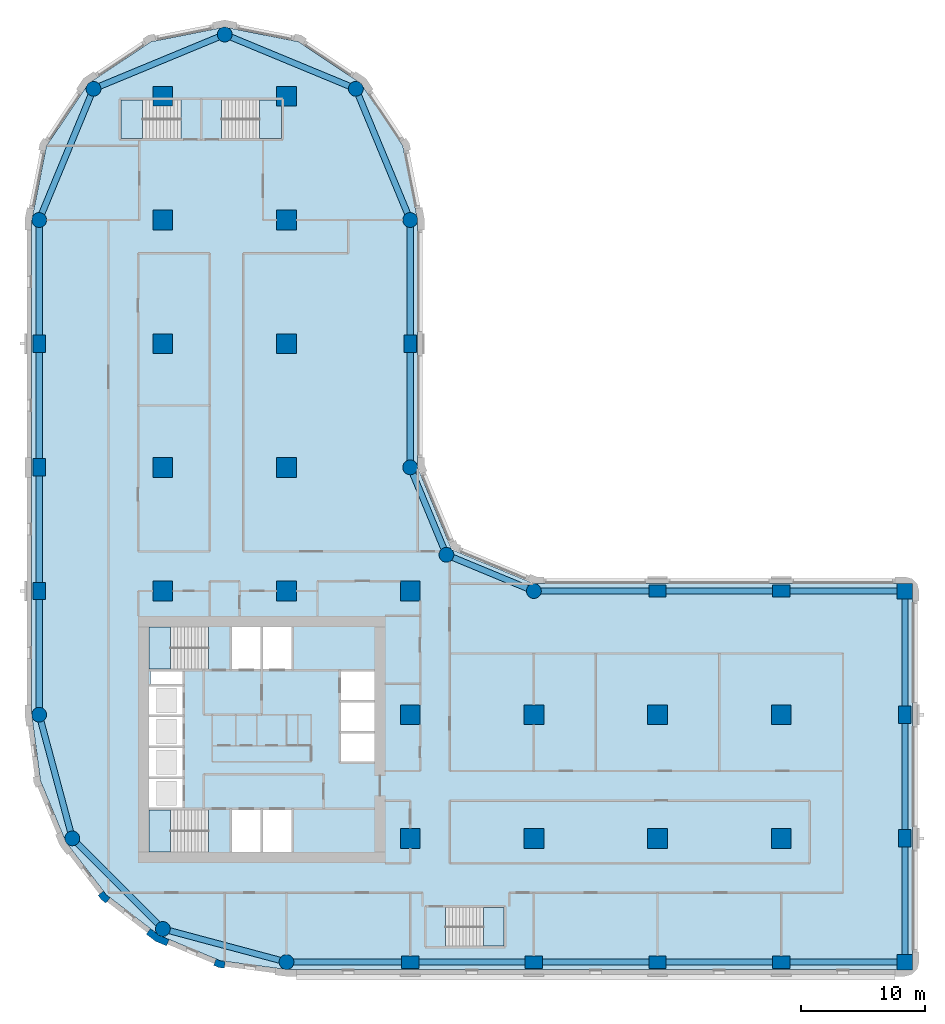
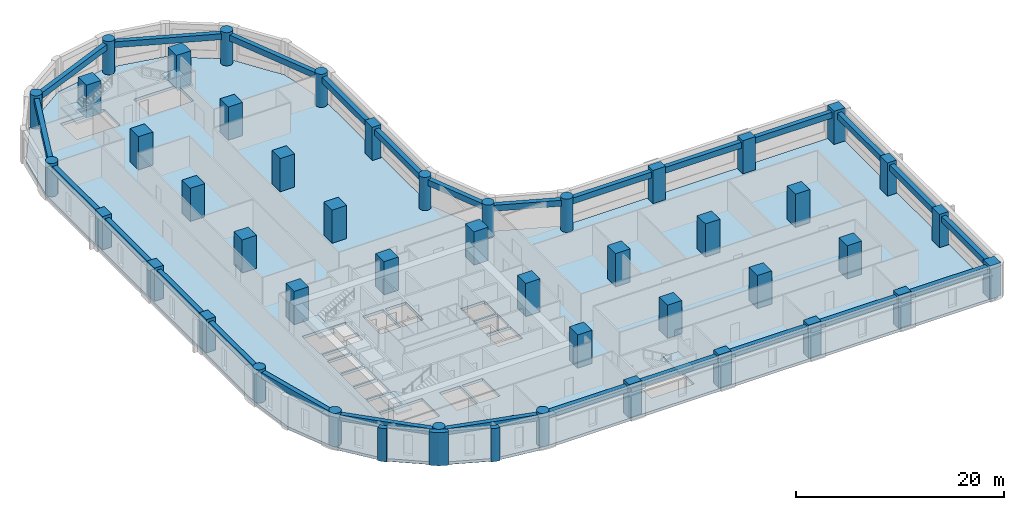
# One storey, part 1 of 11: 45 columns, 26 beams, 6 slabs, 3 walls, 5 elements without a shape of their own.
"""IFC4 building model written with IfcOpenShell, lengths in metres."""

from ifc_helpers import new_model, si_unit, direction, frame, origin, origin_2d, place, context, subcontext, project, spatial, polyline, rectangle, circle, outline, extrude, material, layer, layer_set, material_profile, profile_set, type_object, element, aggregate, save


model = new_model("IFC4")

# Units and contexts
model_context = context("Model", 3, precision=1e-05, world=origin(), true_north=direction((0.0, 1.0)))
body_context = subcontext(model_context, "Body", "Model", "MODEL_VIEW")
ifc_project = project(units=[si_unit("LENGTHUNIT", "METRE"), si_unit("AREAUNIT", "SQUARE_METRE"), si_unit("VOLUMEUNIT", "CUBIC_METRE"), si_unit("PLANEANGLEUNIT", "RADIAN"), si_unit("MASSUNIT", "GRAM", prefix="KILO")], contexts=[model_context])

# Site, building, storey
site_placement = place(None, origin())
site = spatial("IfcSite", under=ifc_project, at=site_placement, CompositionType="ELEMENT")
building_placement = place(site_placement, origin())
building = spatial("IfcBuilding", under=site, at=building_placement, Name="Qaws Garden Tower", CompositionType="ELEMENT")
storey_placement = place(building_placement, frame((0.0, 0.0, 82.199951171875)))
storey = spatial("IfcBuildingStorey", under=building, at=storey_placement, Name="L20", CompositionType="ELEMENT", Elevation=82.199951171875)

# Columns
ifc_material_1 = material(Name="Concrete C80", Category="concrete")
ifc_material_profile_1 = material_profile(ifc_material_1, rectangle(XDim=1.25, YDim=1.25, at=origin_2d()), Name="RC 1250x1250")
ifc_profile_set_1 = profile_set([ifc_material_profile_1], Name="Concrete C80")
column_type_1 = type_object("IfcColumnType", Name="Column RC 1250x1250 C80", PredefinedType="COLUMN", material=ifc_profile_set_1)
for number, where, z_axis, x_axis, name in (
    (1, (70.0, 0.0, 0.0), (0.0, 0.0, 1.0), (1.0, 0.0, 0.0), "Column L20-006"),
    (2, (70.0, 30.0, 0.0), (0.0, 0.0, 1.0), (1.0, 0.0, 0.0), "Column L20-009"),
):
    element("IfcColumn", number, at=place(storey_placement, frame(where, z_axis=z_axis, x_axis=x_axis)), inside=storey, type_object=column_type_1, Name=name, PredefinedType="COLUMN", context=body_context, shape_type="SweptSolid", body=[
        extrude(rectangle(XDim=1.25, YDim=1.25, at=origin_2d()), origin(), (0.0, 0.0, 1.0), 3.900146484375),
    ])
ifc_material_2 = material(Name="Concrete C80", Category="concrete")
ifc_material_profile_2 = material_profile(ifc_material_2, rectangle(XDim=1.39990234375, YDim=1.0, at=origin_2d()), Name="RC 1400x1000")
ifc_profile_set_2 = profile_set([ifc_material_profile_2], Name="Concrete C80")
column_type_2 = type_object("IfcColumnType", Name="Column RC 1400x1000 C80", PredefinedType="COLUMN", material=ifc_profile_set_2)
for number, where, z_axis, x_axis, name in (
    (3, (30.0, 0.0, 0.0), (0.0, 0.0, 1.0), (1.0, 0.0, 0.0), "Column L20-002"),
    (4, (40.0, 0.0, 0.0), (0.0, 0.0, 1.0), (1.0, 0.0, 0.0), "Column L20-003"),
    (5, (50.0, 0.0, 0.0), (0.0, 0.0, 1.0), (1.0, 0.0, 0.0), "Column L20-004"),
    (6, (60.0, 0.0, 0.0), (0.0, 0.0, 1.0), (1.0, 0.0, 0.0), "Column L20-005"),
    (7, (70.0, 10.0, 0.0), (0.0, 0.0, 1.0), (0.0, 1.0, 0.0), "Column L20-007"),
    (8, (70.0, 20.0, 0.0), (0.0, 0.0, 1.0), (0.0, 1.0, 0.0), "Column L20-008"),
    (9, (60.0, 30.0, 0.0), (0.0, 0.0, 1.0), (1.0, 0.0, 0.0), "Column L20-010"),
    (10, (50.0, 30.0, 0.0), (0.0, 0.0, 1.0), (1.0, 0.0, 0.0), "Column L20-011"),
    (11, (30.0, 50.0, 0.0), (0.0, 0.0, 1.0), (0.0, 1.0, 0.0), "Column L20-015"),
    (12, (0.0, 50.0, 0.0), (0.0, 0.0, 1.0), (0.0, 1.0, 0.0), "Column L20-021"),
    (13, (0.0, 40.0, 0.0), (0.0, 0.0, 1.0), (0.0, 1.0, 0.0), "Column L20-022"),
    (14, (0.0, 30.0, 0.0), (0.0, 0.0, 1.0), (0.0, 1.0, 0.0), "Column L20-023"),
):
    element("IfcColumn", number, at=place(storey_placement, frame(where, z_axis=z_axis, x_axis=x_axis)), inside=storey, type_object=column_type_2, Name=name, PredefinedType="COLUMN", context=body_context, shape_type="SweptSolid", body=[
        extrude(rectangle(XDim=1.39990234375, YDim=1.0, at=origin_2d()), origin(), (0.0, 0.0, 1.0), 3.900146484375),
    ])
ifc_material_3 = material(Name="Concrete C80", Category="concrete")
ifc_material_profile_3 = material_profile(ifc_material_3, rectangle(XDim=1.60009765625, YDim=1.60009765625, at=origin_2d()), Name="RC 1600x1600")
ifc_profile_set_3 = profile_set([ifc_material_profile_3], Name="Concrete C80")
column_type_3 = type_object("IfcColumnType", Name="Column RC 1600x1600 C80", PredefinedType="COLUMN", material=ifc_profile_set_3)
for number, where, z_axis, x_axis, name in (
    (15, (10.0, 30.0, 0.0), (0.0, 0.0, 1.0), (1.0, 0.0, 0.0), "Column L20-027"),
    (16, (10.0, 40.0, 0.0), (0.0, 0.0, 1.0), (1.0, 0.0, 0.0), "Column L20-028"),
    (17, (10.0, 50.0, 0.0), (0.0, 0.0, 1.0), (1.0, 0.0, 0.0), "Column L20-029"),
    (18, (10.0, 60.0, 0.0), (0.0, 0.0, 1.0), (1.0, 0.0, 0.0), "Column L20-030"),
    (19, (10.0, 70.0, 0.0), (0.0, 0.0, 1.0), (1.0, 0.0, 0.0), "Column L20-031"),
    (20, (20.0, 30.0, 0.0), (0.0, 0.0, 1.0), (1.0, 0.0, 0.0), "Column L20-032"),
    (21, (20.0, 40.0, 0.0), (0.0, 0.0, 1.0), (1.0, 0.0, 0.0), "Column L20-033"),
    (22, (20.0, 50.0, 0.0), (0.0, 0.0, 1.0), (1.0, 0.0, 0.0), "Column L20-034"),
    (23, (20.0, 60.0, 0.0), (0.0, 0.0, 1.0), (1.0, 0.0, 0.0), "Column L20-035"),
    (24, (20.0, 70.0, 0.0), (0.0, 0.0, 1.0), (1.0, 0.0, 0.0), "Column L20-036"),
    (25, (30.0, 10.0, 0.0), (0.0, 0.0, 1.0), (1.0, 0.0, 0.0), "Column L20-037"),
    (26, (30.0, 20.0, 0.0), (0.0, 0.0, 1.0), (1.0, 0.0, 0.0), "Column L20-038"),
    (27, (30.0, 30.0, 0.0), (0.0, 0.0, 1.0), (1.0, 0.0, 0.0), "Column L20-039"),
    (28, (40.0, 10.0, 0.0), (0.0, 0.0, 1.0), (1.0, 0.0, 0.0), "Column L20-040"),
    (29, (40.0, 20.0, 0.0), (0.0, 0.0, 1.0), (1.0, 0.0, 0.0), "Column L20-041"),
    (30, (50.0, 10.0, 0.0), (0.0, 0.0, 1.0), (1.0, 0.0, 0.0), "Column L20-042"),
    (31, (50.0, 20.0, 0.0), (0.0, 0.0, 1.0), (1.0, 0.0, 0.0), "Column L20-043"),
    (32, (60.0, 10.0, 0.0), (0.0, 0.0, 1.0), (1.0, 0.0, 0.0), "Column L20-044"),
    (33, (60.0, 20.0, 0.0), (0.0, 0.0, 1.0), (1.0, 0.0, 0.0), "Column L20-045"),
):
    element("IfcColumn", number, at=place(storey_placement, frame(where, z_axis=z_axis, x_axis=x_axis)), inside=storey, type_object=column_type_3, Name=name, PredefinedType="COLUMN", context=body_context, shape_type="SweptSolid", body=[
        extrude(rectangle(XDim=1.60009765625, YDim=1.60009765625, at=origin_2d()), origin(), (0.0, 0.0, 1.0), 3.900146484375),
    ])
ifc_material_4 = material(Name="Concrete C80", Category="concrete")
ifc_material_profile_4 = material_profile(ifc_material_4, circle(Radius=0.60009765625, at=origin_2d()), Name="RC D1200")
ifc_profile_set_4 = profile_set([ifc_material_profile_4], Name="Concrete C80")
column_type_4 = type_object("IfcColumnType", Name="Column RC D1200 C80", PredefinedType="COLUMN", material=ifc_profile_set_4)
for number, where, z_axis, x_axis, name in (
    (34, (20.0, 0.0, 0.0), (0.0, 0.0, 1.0), (1.0, 0.0, 0.0), "Column L20-001"),
    (35, (40.0, 30.0, 0.0), (0.0, 0.0, 1.0), (1.0, 0.0, 0.0), "Column L20-012"),
    (36, (32.928955078125, 32.928955078125, 0.0), (0.0, 0.0, 1.0), (1.0, 0.0, 0.0), "Column L20-013"),
    (37, (30.0, 40.0, 0.0), (0.0, 0.0, 1.0), (1.0, 0.0, 0.0), "Column L20-014"),
    (38, (30.0, 60.0, 0.0), (0.0, 0.0, 1.0), (1.0, 0.0, 0.0), "Column L20-016"),
    (39, (25.606689453125, 70.606689453125, 0.0), (0.0, 0.0, 1.0), (1.0, 0.0, 0.0), "Column L20-017"),
    (40, (15.0, 75.0, 0.0), (0.0, 0.0, 1.0), (1.0, 0.0, 0.0), "Column L20-018"),
    (41, (4.393310546875, 70.606689453125, 0.0), (0.0, 0.0, 1.0), (1.0, 0.0, 0.0), "Column L20-019"),
    (42, (0.0, 60.0, 0.0), (0.0, 0.0, 1.0), (1.0, 0.0, 0.0), "Column L20-020"),
    (43, (0.0, 20.0, 0.0), (0.0, 0.0, 1.0), (1.0, 0.0, 0.0), "Column L20-024"),
    (44, (2.679443359375, 10.0, 0.0), (0.0, 0.0, 1.0), (1.0, 0.0, 0.0), "Column L20-025"),
    (45, (10.0, 2.679443359375, 0.0), (0.0, 0.0, 1.0), (1.0, 0.0, 0.0), "Column L20-026"),
):
    element("IfcColumn", number, at=place(storey_placement, frame(where, z_axis=z_axis, x_axis=x_axis)), inside=storey, type_object=column_type_4, Name=name, PredefinedType="COLUMN", context=body_context, shape_type="SweptSolid", body=[
        extrude(circle(Radius=0.60009765625, at=origin_2d()), origin(), (0.0, 0.0, 1.0), 3.900146484375),
    ])

# Beams
ifc_material_5 = material(Name="Concrete C45", Category="concrete")
ifc_material_profile_5 = material_profile(ifc_material_5, rectangle(XDim=0.5, YDim=0.699951171875, at=origin_2d()), Name="RC 500x700")
ifc_profile_set_5 = profile_set([ifc_material_profile_5], Name="Concrete C45")
beam_type = type_object("IfcBeamType", Name="Spandrel beam RC 500x700 C45", PredefinedType="SPANDREL", material=ifc_profile_set_5)
for number, where, z_axis, x_axis, name in (
    (46, (20.0, 0.0, 3.22998046875), (1.0, 0.0, 0.0), (0.0, 1.0, 0.0), "Spandrel beam L20-001"),
    (47, (30.0, 0.0, 3.22998046875), (1.0, 0.0, 0.0), (0.0, 1.0, 0.0), "Spandrel beam L20-002"),
    (48, (40.0, 0.0, 3.22998046875), (1.0, 0.0, 0.0), (0.0, 1.0, 0.0), "Spandrel beam L20-003"),
    (49, (50.0, 0.0, 3.22998046875), (1.0, 0.0, 0.0), (0.0, 1.0, 0.0), "Spandrel beam L20-004"),
    (50, (60.0, 0.0, 3.22998046875), (1.0, 0.0, 0.0), (0.0, 1.0, 0.0), "Spandrel beam L20-005"),
    (51, (70.0, 0.0, 3.22998046875), (0.0, 1.0, 0.0), (-1.0, 0.0, 0.0), "Spandrel beam L20-006"),
    (52, (70.0, 10.0, 3.22998046875), (0.0, 1.0, 0.0), (-1.0, 0.0, 0.0), "Spandrel beam L20-007"),
    (53, (70.0, 20.0, 3.22998046875), (0.0, 1.0, 0.0), (-1.0, 0.0, 0.0), "Spandrel beam L20-008"),
    (54, (70.0, 30.0, 3.22998046875), (-1.0, 0.0, 0.0), (0.0, -1.0, 0.0), "Spandrel beam L20-009"),
    (55, (60.0, 30.0, 3.22998046875), (-1.0, 0.0, 0.0), (0.0, -1.0, 0.0), "Spandrel beam L20-010"),
    (56, (50.0, 30.0, 3.22998046875), (-1.0, 0.0, 0.0), (0.0, -1.0, 0.0), "Spandrel beam L20-011"),
):
    element("IfcBeam", number, at=place(storey_placement, frame(where, z_axis=z_axis, x_axis=x_axis)), inside=storey, type_object=beam_type, Name=name, PredefinedType="SPANDREL", context=body_context, shape_type="SweptSolid", body=[
        extrude(rectangle(XDim=0.5, YDim=0.699951171875, at=origin_2d()), origin(), (0.0, 0.0, 1.0), 10.0),
    ])
for number, where, z_axis, x_axis, name in (
    (57, (40.0, 30.0, 3.22998046875), (-0.923878037141, 0.382687042488, 0.0), (-0.382687042488, -0.923878037141, 0.0), "Spandrel beam L20-012"),
    (58, (32.928955078125, 32.928955078125, 3.22998046875), (-0.382687042488, 0.923878037141, 0.0), (-0.923878037141, -0.382687042488, 0.0), "Spandrel beam L20-013"),
):
    element("IfcBeam", number, at=place(storey_placement, frame(where, z_axis=z_axis, x_axis=x_axis)), inside=storey, type_object=beam_type, Name=name, PredefinedType="SPANDREL", context=body_context, shape_type="SweptSolid", body=[
        extrude(rectangle(XDim=0.5, YDim=0.699951171875, at=origin_2d()), origin(), (0.0, 0.0, 1.0), 7.653564453125),
    ])
for number, where, z_axis, x_axis, name in (
    (59, (30.0, 40.0, 3.22998046875), (0.0, 1.0, 0.0), (-1.0, 0.0, 0.0), "Spandrel beam L20-014"),
    (60, (30.0, 50.0, 3.22998046875), (0.0, 1.0, 0.0), (-1.0, 0.0, 0.0), "Spandrel beam L20-015"),
):
    element("IfcBeam", number, at=place(storey_placement, frame(where, z_axis=z_axis, x_axis=x_axis)), inside=storey, type_object=beam_type, Name=name, PredefinedType="SPANDREL", context=body_context, shape_type="SweptSolid", body=[
        extrude(rectangle(XDim=0.5, YDim=0.699951171875, at=origin_2d()), origin(), (0.0, 0.0, 1.0), 10.0),
    ])
for number, where, z_axis, x_axis, name in (
    (61, (30.0, 60.0, 3.22998046875), (-0.382674207535, 0.923883353507, 0.0), (-0.923883353507, -0.382674207535, 0.0), "Spandrel beam L20-016"),
    (62, (25.606689453125, 70.606689453125, 3.22998046875), (-0.923883353507, 0.382674207535, 0.0), (-0.382674207535, -0.923883353507, 0.0), "Spandrel beam L20-017"),
    (63, (15.0, 75.0, 3.22998046875), (-0.923883353507, -0.382674207535, 0.0), (0.382674207535, -0.923883353507, 0.0), "Spandrel beam L20-018"),
    (64, (4.393310546875, 70.606689453125, 3.22998046875), (-0.382674207535, -0.923883353507, 0.0), (0.923883353507, -0.382674207535, 0.0), "Spandrel beam L20-019"),
):
    element("IfcBeam", number, at=place(storey_placement, frame(where, z_axis=z_axis, x_axis=x_axis)), inside=storey, type_object=beam_type, Name=name, PredefinedType="SPANDREL", context=body_context, shape_type="SweptSolid", body=[
        extrude(rectangle(XDim=0.5, YDim=0.699951171875, at=origin_2d()), origin(), (0.0, 0.0, 1.0), 11.48046875),
    ])
for number, where, z_axis, x_axis, name in (
    (65, (0.0, 60.0, 3.22998046875), (0.0, -1.0, 0.0), (1.0, 0.0, 0.0), "Spandrel beam L20-020"),
    (66, (0.0, 50.0, 3.22998046875), (0.0, -1.0, 0.0), (1.0, 0.0, 0.0), "Spandrel beam L20-021"),
    (67, (0.0, 40.0, 3.22998046875), (0.0, -1.0, 0.0), (1.0, 0.0, 0.0), "Spandrel beam L20-022"),
    (68, (0.0, 30.0, 3.22998046875), (0.0, -1.0, 0.0), (1.0, 0.0, 0.0), "Spandrel beam L20-023"),
):
    element("IfcBeam", number, at=place(storey_placement, frame(where, z_axis=z_axis, x_axis=x_axis)), inside=storey, type_object=beam_type, Name=name, PredefinedType="SPANDREL", context=body_context, shape_type="SweptSolid", body=[
        extrude(rectangle(XDim=0.5, YDim=0.699951171875, at=origin_2d()), origin(), (0.0, 0.0, 1.0), 10.0),
    ])
for number, where, z_axis, x_axis, name in (
    (69, (0.0, 20.0, 3.22998046875), (0.25881466832, -0.965926999034, 0.0), (0.965926999034, 0.25881466832, 0.0), "Spandrel beam L20-024"),
    (70, (2.679443359375, 10.0, 3.22998046875), (0.707106781187, -0.707106781187, 0.0), (0.707106781187, 0.707106781187, 0.0), "Spandrel beam L20-025"),
    (71, (10.0, 2.679443359375, 3.22998046875), (0.965926999034, -0.25881466832, 0.0), (0.25881466832, 0.965926999034, 0.0), "Spandrel beam L20-026"),
):
    element("IfcBeam", number, at=place(storey_placement, frame(where, z_axis=z_axis, x_axis=x_axis)), inside=storey, type_object=beam_type, Name=name, PredefinedType="SPANDREL", context=body_context, shape_type="SweptSolid", body=[
        extrude(rectangle(XDim=0.5, YDim=0.699951171875, at=origin_2d()), origin(), (0.0, 0.0, 1.0), 10.352783203125),
    ])

# Slab
ifc_material_6 = material(Name="Concrete C40", Category="concrete")
ifc_layer_1 = layer(ifc_material_6, 0.320068359375)
ifc_layer_set_1 = layer_set([ifc_layer_1], Name="Concrete C40")
slab_type_1 = type_object("IfcSlabType", Name="Floor slab 320 C40", PredefinedType="FLOOR", material=ifc_layer_set_1)
slab_1_placement = place(storey_placement, frame((0.0, 0.0, -0.320068359375)))
element("IfcSlab", 72, at=slab_1_placement, inside=storey, type_object=slab_type_1, Name="Floor slab L20", PredefinedType="FLOOR", context=body_context, shape_type="SweptSolid", body=[
    extrude(outline(polyline([(0.101806640625, 14.668212890625), (-0.60009765625, 20.0), (-0.60009765625, 30.60009765625), (-0.60009765625, 60.0), (-0.60009765625, 60.0), (0.58740234375, 65.969970703125), (3.968994140625, 71.031005859375), (9.030029296875, 74.41259765625), (15.0, 75.60009765625), (20.969970703125, 74.41259765625), (26.031005859375, 71.031005859375), (29.41259765625, 65.969970703125), (30.60009765625, 60.0), (30.60009765625, 40.0), (33.353271484375, 33.353271484375), (40.0, 30.60009765625), (70.0, 30.60009765625), (70.42431640625, 30.42431640625), (70.60009765625, 30.0), (70.60009765625, 0.0), (70.42431640625, -0.42431640625), (70.0, -0.60009765625), (30.60009765625, -0.60009765625), (20.0, -0.60009765625), (14.668212890625, 0.101806640625), (9.699951171875, 2.159912109375), (5.43359375, 5.43359375), (2.159912109375, 9.699951171875), (0.101806640625, 14.668212890625)]), holes=[polyline([(13.699462890625, 12.300048828125), (8.89990234375, 12.300048828125), (8.89990234375, 8.89990234375), (13.699462890625, 8.89990234375), (13.699462890625, 12.300048828125)]), polyline([(17.89990234375, 12.300048828125), (15.60009765625, 12.300048828125), (15.60009765625, 8.89990234375), (17.89990234375, 8.89990234375), (17.89990234375, 12.300048828125)]), polyline([(11.60009765625, 14.800048828125), (8.89990234375, 14.800048828125), (8.89990234375, 12.5), (11.60009765625, 12.5), (11.60009765625, 14.800048828125)]), polyline([(11.60009765625, 17.300048828125), (8.89990234375, 17.300048828125), (8.89990234375, 15.0), (11.60009765625, 15.0), (11.60009765625, 17.300048828125)]), polyline([(11.60009765625, 19.800048828125), (8.89990234375, 19.800048828125), (8.89990234375, 17.5), (11.60009765625, 17.5), (11.60009765625, 19.800048828125)]), polyline([(11.60009765625, 22.300048828125), (8.89990234375, 22.300048828125), (8.89990234375, 20.0), (11.60009765625, 20.0), (11.60009765625, 22.300048828125)]), polyline([(11.60009765625, 23.5), (9.0, 23.5), (9.0, 22.5), (11.60009765625, 22.5), (11.60009765625, 23.5)]), polyline([(13.699462890625, 27.10009765625), (8.89990234375, 27.10009765625), (8.89990234375, 23.699951171875), (13.699462890625, 23.699951171875), (13.699462890625, 27.10009765625)]), polyline([(11.449462890625, 69.699951171875), (6.60009765625, 69.699951171875), (6.60009765625, 66.60009765625), (11.449462890625, 66.60009765625), (11.449462890625, 69.699951171875)]), polyline([(37.60009765625, 4.39990234375), (32.8505859375, 4.39990234375), (32.8505859375, 1.300048828125), (37.60009765625, 1.300048828125), (37.60009765625, 4.39990234375)]), polyline([(20.39990234375, 12.300048828125), (18.10009765625, 12.300048828125), (18.10009765625, 8.89990234375), (20.39990234375, 8.89990234375), (20.39990234375, 12.300048828125)]), polyline([(27.10009765625, 18.5), (24.39990234375, 18.5), (24.39990234375, 16.199951171875), (27.10009765625, 16.199951171875), (27.10009765625, 18.5)]), polyline([(27.10009765625, 21.0), (24.39990234375, 21.0), (24.39990234375, 18.699951171875), (27.10009765625, 18.699951171875), (27.10009765625, 21.0)]), polyline([(27.10009765625, 23.5), (24.39990234375, 23.5), (24.39990234375, 21.199951171875), (27.10009765625, 21.199951171875), (27.10009765625, 23.5)]), polyline([(17.89990234375, 27.10009765625), (15.60009765625, 27.10009765625), (15.60009765625, 23.699951171875), (17.89990234375, 23.699951171875), (17.89990234375, 27.10009765625)]), polyline([(20.39990234375, 23.699951171875), (20.39990234375, 27.10009765625), (18.10009765625, 27.10009765625), (18.10009765625, 23.699951171875), (20.39990234375, 23.699951171875)]), polyline([(19.60009765625, 66.60009765625), (19.60009765625, 69.699951171875), (14.75048828125, 69.699951171875), (14.75048828125, 66.60009765625), (19.60009765625, 66.60009765625)])]), origin(), (0.0, 0.0, 1.0), 0.320068359375),
])

# Stair, slab
ifc_material_7 = material(Name="Concrete C40", Category="concrete")
stair_type_1 = type_object("IfcStairType", Name="Exit stair 1500", PredefinedType="HALF_TURN_STAIR", material=ifc_material_7)
placement_1 = place(storey_placement, origin())
stair_1 = element("IfcStair", 73, at=placement_1, inside=storey, type_object=stair_type_1, Name="Stair 1", PredefinedType="HALF_TURN_STAIR")
ifc_material_8 = material(Name="Concrete C40", Category="concrete")
ifc_layer_2 = layer(ifc_material_8, 0.199951171875)
ifc_layer_set_2 = layer_set([ifc_layer_2], Name="Concrete C40")
slab_type_2 = type_object("IfcSlabType", Name="Stair landing 200", PredefinedType="LANDING", material=ifc_layer_set_2)
placement_2 = place(storey_placement, frame((0.0, 0.0, 1.75)))
slab_2 = element("IfcSlab", 74, at=placement_2, type_object=slab_type_2, Name="ST1 landing 1", PredefinedType="LANDING", context=body_context, shape_type="SweptSolid", body=[
    extrude(outline(polyline([(8.89990234375, 8.89990234375), (10.6201171875, 8.89990234375), (10.6201171875, 12.300048828125), (8.89990234375, 12.300048828125), (8.89990234375, 8.89990234375)])), origin(), (0.0, 0.0, 1.0), 0.199951171875),
])
aggregate(stair_1, [slab_2])

stair_2 = element("IfcStair", 75, at=placement_1, inside=storey, type_object=stair_type_1, Name="Stair 4", PredefinedType="HALF_TURN_STAIR")
slab_3 = element("IfcSlab", 76, at=placement_2, type_object=slab_type_2, Name="ST4 landing 1", PredefinedType="LANDING", context=body_context, shape_type="SweptSolid", body=[
    extrude(outline(polyline([(8.89990234375, 23.699951171875), (10.6201171875, 23.699951171875), (10.6201171875, 27.10009765625), (8.89990234375, 27.10009765625), (8.89990234375, 23.699951171875)])), origin(), (0.0, 0.0, 1.0), 0.199951171875),
])
aggregate(stair_2, [slab_3])

ifc_material_9 = material(Name="Concrete C40", Category="concrete")
stair_type_2 = type_object("IfcStairType", Name="Exit stair 1350", PredefinedType="HALF_TURN_STAIR", material=ifc_material_9)
stair_3 = element("IfcStair", 77, at=placement_1, inside=storey, type_object=stair_type_2, Name="Stair 5", PredefinedType="HALF_TURN_STAIR")
slab_4 = element("IfcSlab", 78, at=placement_2, type_object=slab_type_2, Name="ST5 landing 1", PredefinedType="LANDING", context=body_context, shape_type="SweptSolid", body=[
    extrude(outline(polyline([(35.929931640625, 1.300048828125), (37.60009765625, 1.300048828125), (37.60009765625, 4.39990234375), (35.929931640625, 4.39990234375), (35.929931640625, 1.300048828125)])), origin(), (0.0, 0.0, 1.0), 0.199951171875),
])
aggregate(stair_3, [slab_4])

stair_4 = element("IfcStair", 79, at=placement_1, inside=storey, type_object=stair_type_2, Name="Stair 6", PredefinedType="HALF_TURN_STAIR")
slab_5 = element("IfcSlab", 80, at=placement_2, type_object=slab_type_2, Name="ST6 landing 1", PredefinedType="LANDING", context=body_context, shape_type="SweptSolid", body=[
    extrude(outline(polyline([(6.60009765625, 66.60009765625), (8.3701171875, 66.60009765625), (8.3701171875, 69.699951171875), (6.60009765625, 69.699951171875), (6.60009765625, 66.60009765625)])), origin(), (0.0, 0.0, 1.0), 0.199951171875),
])
aggregate(stair_4, [slab_5])

stair_5 = element("IfcStair", 81, at=placement_1, inside=storey, type_object=stair_type_2, Name="Stair 7", PredefinedType="HALF_TURN_STAIR")
slab_6 = element("IfcSlab", 82, at=placement_2, type_object=slab_type_2, Name="ST7 landing 1", PredefinedType="LANDING", context=body_context, shape_type="SweptSolid", body=[
    extrude(outline(polyline([(17.830078125, 66.60009765625), (19.60009765625, 66.60009765625), (19.60009765625, 69.699951171875), (17.830078125, 69.699951171875), (17.830078125, 66.60009765625)])), origin(), (0.0, 0.0, 1.0), 0.199951171875),
])
aggregate(stair_5, [slab_6])

# Walls
ifc_material_10 = material(Name="Buff clay facing brick masonry", Category="masonry")
ifc_layer_3 = layer(ifc_material_10, 0.550048828125)
ifc_layer_set_3 = layer_set([ifc_layer_3], Name="Buff clay facing brick masonry")
wall_type_1 = type_object("IfcWallType", Name="Buff brick kink pier 550 x 600", PredefinedType="SOLIDWALL", material=ifc_layer_set_3)
element("IfcWall", 83, at=placement_1, inside=storey, type_object=wall_type_1, Name="E-L20-pier-30", PredefinedType="SOLIDWALL", context=body_context, shape_type="SweptSolid", body=[
    extrude(outline(polyline([(4.8818359375, 5.487060546875), (4.762939453125, 5.395751953125), (5.03759765625, 5.03759765625), (5.395751953125, 4.762939453125), (5.487060546875, 4.8818359375), (5.730712890625, 5.19921875), (5.429931640625, 5.429931640625), (5.19921875, 5.730712890625), (4.8818359375, 5.487060546875)])), origin(), (0.0, 0.0, 1.0), 3.900146484375),
])
element("IfcWall", 84, at=placement_1, inside=storey, type_object=wall_type_1, Name="E-L20-pier-32", PredefinedType="SOLIDWALL", context=body_context, shape_type="SweptSolid", body=[
    extrude(outline(polyline([(14.163818359375, -0.127685546875), (14.1064453125, -0.26611328125), (14.5234375, -0.43896484375), (14.970947265625, -0.497802734375), (14.990478515625, -0.34912109375), (15.042724609375, 0.04736328125), (14.6669921875, 0.096923828125), (14.31689453125, 0.241943359375), (14.163818359375, -0.127685546875)])), origin(), (0.0, 0.0, 1.0), 3.900146484375),
])
ifc_material_11 = material(Name="Buff clay facing brick masonry", Category="masonry")
ifc_layer_4 = layer(ifc_material_11, 0.550048828125)
ifc_layer_set_4 = layer_set([ifc_layer_4], Name="Buff clay facing brick masonry")
wall_type_2 = type_object("IfcWallType", Name="Buff brick pier 550 x 1600", PredefinedType="SOLIDWALL", material=ifc_layer_set_4)
element("IfcWall", 85, at=placement_1, inside=storey, type_object=wall_type_2, Name="E-L20-pier-31", PredefinedType="SOLIDWALL", context=body_context, shape_type="SweptSolid", body=[
    extrude(outline(polyline([(8.756591796875, 2.373046875), (8.665283203125, 2.254150390625), (9.419921875, 1.675048828125), (10.299072265625, 1.310791015625), (10.3564453125, 1.449462890625), (10.509521484375, 1.819091796875), (9.697509765625, 2.1552734375), (9.0, 2.6904296875), (8.756591796875, 2.373046875)])), origin(), (0.0, 0.0, 1.0), 3.900146484375),
])

save(model, "model.ifc")
